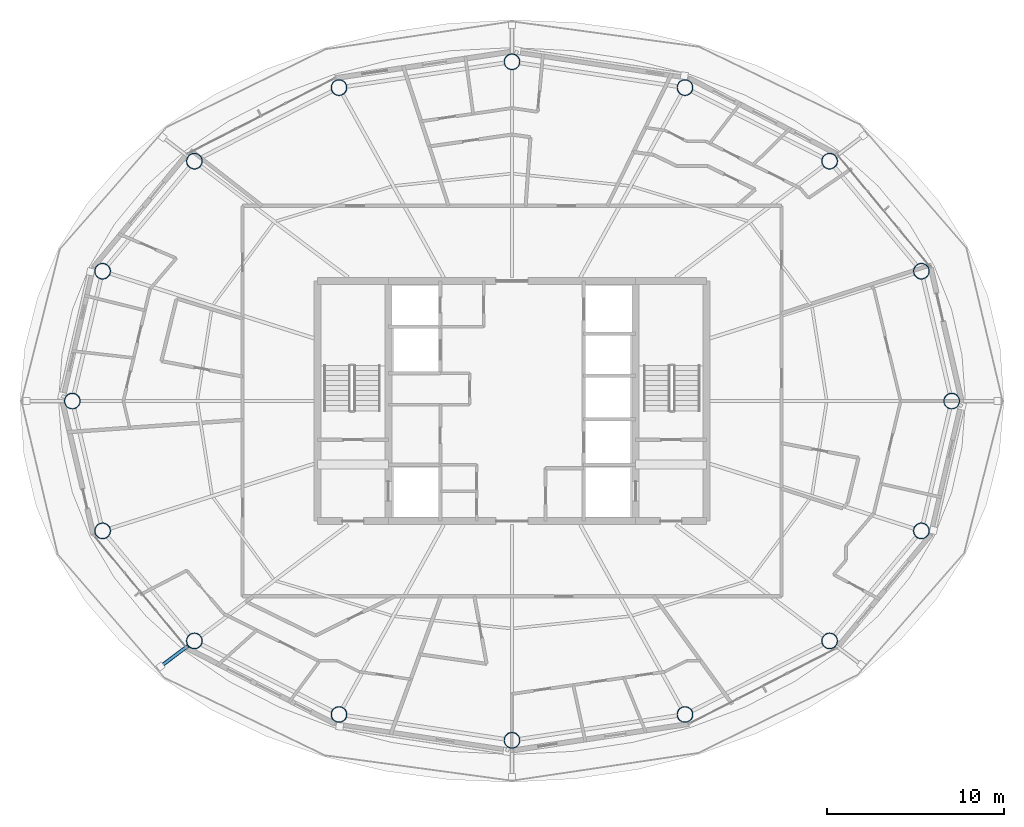
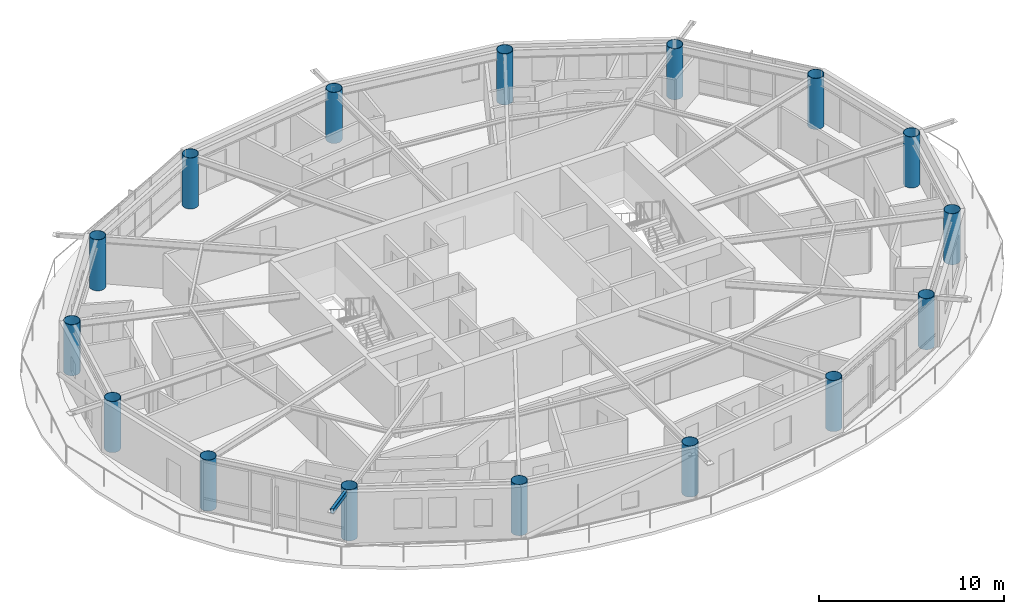
# One storey, part 1 of 23: 16 columns, 1 member.
"""IFC4 building model written with IfcOpenShell, lengths in metres."""

from ifc_helpers import new_model, si_unit, direction, frame, origin, origin_2d, place, context, subcontext, project, spatial, hollow_rectangle, hollow_circle, extrude, material, material_profile, profile_set, type_object, element, save


model = new_model("IFC4")

# Units and contexts
model_context = context("Model", 3, precision=1e-05, world=origin(), true_north=direction((0.0, 1.0)))
body_context = subcontext(model_context, "Body", "Model", "MODEL_VIEW")
ifc_project = project(units=[si_unit("LENGTHUNIT", "METRE"), si_unit("AREAUNIT", "SQUARE_METRE"), si_unit("VOLUMEUNIT", "CUBIC_METRE"), si_unit("PLANEANGLEUNIT", "RADIAN"), si_unit("MASSUNIT", "GRAM", prefix="KILO")], contexts=[model_context])

# Site, building, storey
site_placement = place(None, origin())
site = spatial("IfcSite", under=ifc_project, at=site_placement, CompositionType="ELEMENT")
building_placement = place(site_placement, origin())
building = spatial("IfcBuilding", under=site, at=building_placement, Name="Sarneth Arch Tower", CompositionType="ELEMENT")
storey_placement = place(building_placement, frame((0.0, 0.0, 220.800048828125)))
storey = spatial("IfcBuildingStorey", under=building, at=storey_placement, Name="L56", CompositionType="ELEMENT", Elevation=220.800048828125)

# Columns
ifc_material_1 = material(Name="Steel S355", Category="steel")
ifc_material_profile_1 = material_profile(ifc_material_1, hollow_circle(Radius=0.449951171875, WallThickness=0.02490234375, at=origin_2d()), Name="CHS900x25")
ifc_profile_set_1 = profile_set([ifc_material_profile_1], Name="Steel S355")
column_type = type_object("IfcColumnType", Name="COL-MEGA-900", PredefinedType="COLUMN", material=ifc_profile_set_1)
for number, where, z_axis, x_axis, name in (
    (1, (72.88330078125, 42.0, 0.0), (0.0, 0.0, 1.0), (1.0, 0.0, 0.0), "L56 Perimeter mega-column M01"),
    (2, (71.1689453125, 49.347412109375, 0.0), (0.0, 0.0, 1.0), (1.0, 0.0, 0.0), "L56 Perimeter mega-column M02"),
    (3, (65.975341796875, 55.576416015625, 0.0), (0.0, 0.0, 1.0), (1.0, 0.0, 0.0), "L56 Perimeter mega-column M03"),
    (4, (57.790771484375, 59.738525390625, 0.0), (0.0, 0.0, 1.0), (1.0, 0.0, 0.0), "L56 Perimeter mega-column M04"),
    (5, (48.0, 61.199951171875, 0.0), (0.0, 0.0, 1.0), (1.0, 0.0, 0.0), "L56 Perimeter mega-column M05"),
    (6, (38.209228515625, 59.738525390625, 0.0), (0.0, 0.0, 1.0), (1.0, 0.0, 0.0), "L56 Perimeter mega-column M06"),
    (7, (30.024658203125, 55.576416015625, 0.0), (0.0, 0.0, 1.0), (1.0, 0.0, 0.0), "L56 Perimeter mega-column M07"),
    (8, (24.8310546875, 49.347412109375, 0.0), (0.0, 0.0, 1.0), (1.0, 0.0, 0.0), "L56 Perimeter mega-column M08"),
    (9, (23.11669921875, 42.0, 0.0), (0.0, 0.0, 1.0), (1.0, 0.0, 0.0), "L56 Perimeter mega-column M09"),
    (10, (24.8310546875, 34.652587890625, 0.0), (0.0, 0.0, 1.0), (1.0, 0.0, 0.0), "L56 Perimeter mega-column M10"),
    (11, (30.024658203125, 28.423583984375, 0.0), (0.0, 0.0, 1.0), (1.0, 0.0, 0.0), "L56 Perimeter mega-column M11"),
    (12, (38.209228515625, 24.261474609375, 0.0), (0.0, 0.0, 1.0), (1.0, 0.0, 0.0), "L56 Perimeter mega-column M12"),
    (13, (48.0, 22.800048828125, 0.0), (0.0, 0.0, 1.0), (1.0, 0.0, 0.0), "L56 Perimeter mega-column M13"),
    (14, (57.790771484375, 24.261474609375, 0.0), (0.0, 0.0, 1.0), (1.0, 0.0, 0.0), "L56 Perimeter mega-column M14"),
    (15, (65.975341796875, 28.423583984375, 0.0), (0.0, 0.0, 1.0), (1.0, 0.0, 0.0), "L56 Perimeter mega-column M15"),
    (16, (71.1689453125, 34.652587890625, 0.0), (0.0, 0.0, 1.0), (1.0, 0.0, 0.0), "L56 Perimeter mega-column M16"),
):
    element("IfcColumn", number, at=place(storey_placement, frame(where, z_axis=z_axis, x_axis=x_axis)), inside=storey, type_object=column_type, Name=name, PredefinedType="COLUMN", context=body_context, shape_type="SweptSolid", body=[
        extrude(hollow_circle(Radius=0.449951171875, WallThickness=0.02490234375, at=origin_2d()), origin(), (0.0, 0.0, 1.0), 3.35986328125),
    ])

# Member
ifc_material_2 = material(Name="Steel S355", Category="steel")
ifc_material_profile_2 = material_profile(ifc_material_2, hollow_rectangle(XDim=0.199951171875, YDim=0.300048828125, WallThickness=0.012451171875, InnerFilletRadius=0.018798828125, OuterFilletRadius=0.03125, at=origin_2d()), Name="RHS300x200x12.5")
ifc_profile_set_2 = profile_set([ifc_material_profile_2], Name="Steel S355")
member_type = type_object("IfcMemberType", Name="MEM-CANT-STRUT", PredefinedType="STRUT", material=ifc_profile_set_2)
member_placement = place(storey_placement, frame((29.665771484375, 28.15234375, 3.199951171875), z_axis=(-0.797952925815, -0.602719775835, 0.0), x_axis=(0.602719775835, -0.797952925815, 0.0)))
element("IfcMember", 17, at=member_placement, inside=storey, type_object=member_type, Name="L56 Balcony cantilever bracket 11", PredefinedType="STRUT", context=body_context, shape_type="SweptSolid", body=[
    extrude(hollow_rectangle(XDim=0.199951171875, YDim=0.300048828125, WallThickness=0.012451171875, InnerFilletRadius=0.018798828125, OuterFilletRadius=0.03125, at=origin_2d()), origin(), (0.0, 0.0, 1.0), 1.95068359375),
])

save(model, "model.ifc")
